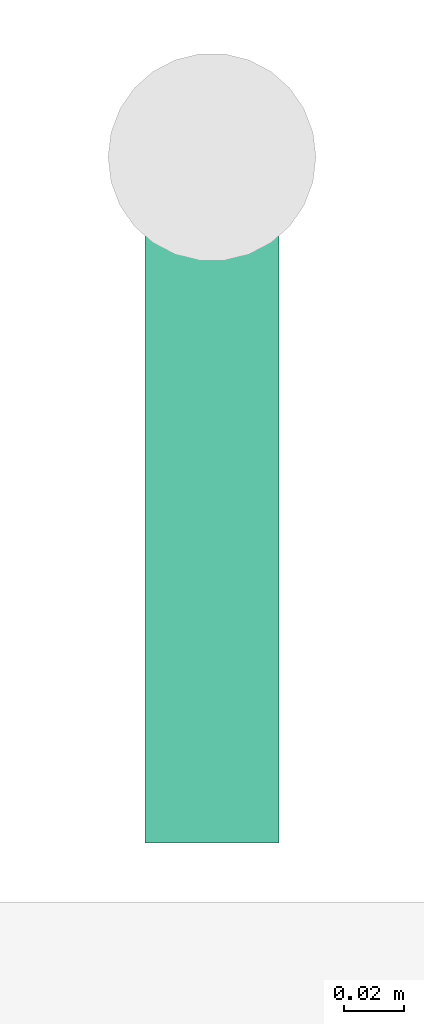
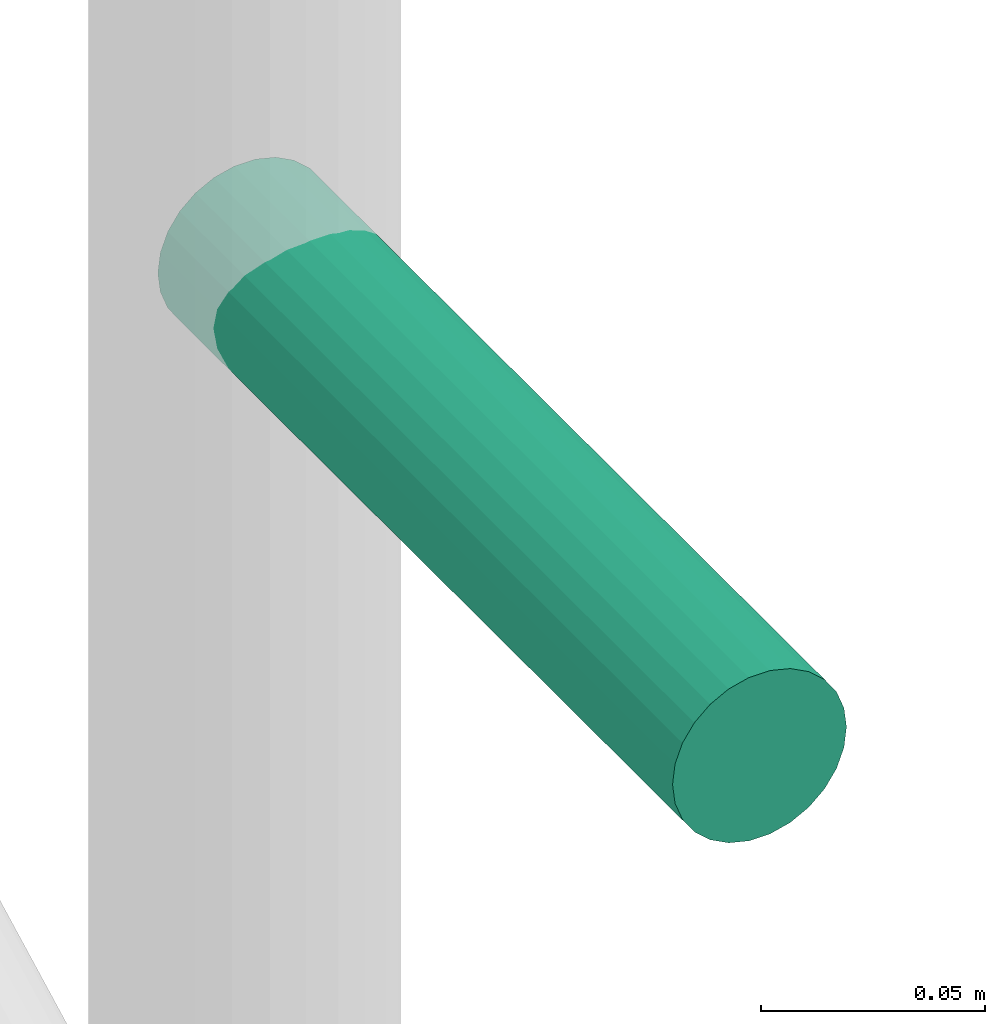
# One storey, part 35 of 36: 1 pipe fitting.
"""IFC4 building model written with IfcOpenShell, lengths in metres."""

import ifcopenshell
import ifcopenshell.guid

model = None  # the IFC model being written
_history = None  # IfcOwnerHistory: only IFC2X3 demands one
_inside = {}  # id of a spatial element -> (the spatial element, [elements in it])
_under = {}  # id of a project, library or spatial element -> (it, [spatial elements below it])
_declared = {}  # id of a project -> (the project, [libraries it declares])
_typed = {}  # id of a type object -> (the type object, [elements of that type])
_made_of = {}  # id of a material, layer set ... -> (it, [elements and type objects made of it])


def new_model(schema):
    """Start an empty IFC model of exactly this schema.

    Asked for "IFC4X3", IfcOpenShell would pick the latest addendum, in which some entities
    have other attributes; the version numbers below select the first issue.
    IFC2X3 requires an IfcOwnerHistory on every rooted entity: one is made here for all.
    """
    global model, _history
    if schema == "IFC4X3":
        model = ifcopenshell.file(schema_version=(4, 3, 0, 0))
    else:
        model = ifcopenshell.file(schema=schema)
    _inside.clear()
    _under.clear()
    _declared.clear()
    _typed.clear()
    _made_of.clear()
    _history = None
    if model.schema == "IFC2X3":
        org = make("IfcOrganization", Name="unknown")
        user = make(
            "IfcPersonAndOrganization",
            ThePerson=make("IfcPerson", FamilyName="unknown"),
            TheOrganization=org,
        )
        app = make(
            "IfcApplication",
            ApplicationDeveloper=org,
            Version="unknown",
            ApplicationFullName="unknown",
            ApplicationIdentifier="unknown",
        )
        _history = make(
            "IfcOwnerHistory",
            OwningUser=user,
            OwningApplication=app,
            ChangeAction="ADDED",
            CreationDate=0,
        )
    return model


def make(cls, **values):
    """One entity of the class cls with the attributes given. An attribute that is None is left unset."""
    return model.create_entity(
        cls, **{name: value for name, value in values.items() if value is not None}
    )


def rooted(cls, **values):
    """An entity with a GlobalId (a new one), such as an element, a storey or a relation."""
    return make(cls, GlobalId=ifcopenshell.guid.new(), OwnerHistory=_history, **values)


def si_unit(unit_type, name, prefix=None):
    """IfcSIUnit, for example si_unit("LENGTHUNIT", "METRE", prefix="MILLI")."""
    return make("IfcSIUnit", UnitType=unit_type, Prefix=prefix, Name=name)


def assignment(units):
    """IfcUnitAssignment: the units of a project."""
    return None if units is None else make("IfcUnitAssignment", Units=units)


def point(xyz):
    """IfcCartesianPoint."""
    return None if xyz is None else make("IfcCartesianPoint", Coordinates=xyz)


def direction(xyz):
    """IfcDirection."""
    return None if xyz is None else make("IfcDirection", DirectionRatios=xyz)


def frame(location, z_axis=None, x_axis=None):
    """IfcAxis2Placement3D, a coordinate frame: its origin and axes. An axis left out is left unset."""
    return make(
        "IfcAxis2Placement3D",
        Location=point(location),
        Axis=direction(z_axis),
        RefDirection=direction(x_axis),
    )


def frame_2d(location, x_axis=None):
    """IfcAxis2Placement2D, a coordinate frame in the plane: its origin and x axis."""
    return make(
        "IfcAxis2Placement2D", Location=point(location), RefDirection=direction(x_axis)
    )


def origin():
    """The frame at (0, 0, 0) with its axes left unset."""
    return frame((0.0, 0.0, 0.0))


def origin_2d():
    """The frame at (0, 0) in the plane with its x axis left unset."""
    return frame_2d((0.0, 0.0))


def place(relative_to, where):
    """IfcLocalPlacement: puts the frame where relative to a parent placement (None: the world)."""
    return make(
        "IfcLocalPlacement", PlacementRelTo=relative_to, RelativePlacement=where
    )


def context(
    kind, dimensions, precision=None, world=None, true_north=None, identifier=None
):
    """IfcGeometricRepresentationContext, for example the 3D "Model" context."""
    return make(
        "IfcGeometricRepresentationContext",
        ContextIdentifier=identifier,
        ContextType=kind,
        CoordinateSpaceDimension=dimensions,
        Precision=precision,
        WorldCoordinateSystem=world,
        TrueNorth=true_north,
    )


def subcontext(parent, identifier, kind, view, scale=None):
    """IfcGeometricRepresentationSubContext, for example "Body" below "Model"."""
    return make(
        "IfcGeometricRepresentationSubContext",
        ContextIdentifier=identifier,
        ContextType=kind,
        ParentContext=parent,
        TargetScale=scale,
        TargetView=view,
    )


def project(units=None, contexts=None):
    """IfcProject with its units and contexts."""
    return rooted(
        "IfcProject",
        Name="project",
        RepresentationContexts=contexts,
        UnitsInContext=assignment(units),
    )


def spatial(cls, under=None, at=None, **own):
    """A site, building, storey or space (cls), placed at a placement, below another one or the project."""
    s = rooted(cls, ObjectPlacement=at, **own)
    if under is not None:
        _under.setdefault(under.id(), (under, []))[1].append(s)
    return s


def profile(cls, at=None, kind="AREA", **sizes):
    """A parametric profile (cls). Its sizes go by their IFC names, for example OverallWidth=200.0."""
    return make(cls, ProfileType=kind, Position=at, **sizes)


def circle(**sizes):
    """IfcCircleProfileDef."""
    return profile("IfcCircleProfileDef", **sizes)


def extrude(swept, where, along, depth):
    """IfcExtrudedAreaSolid: the profile swept, set in the frame where, extruded along a direction by depth."""
    return make(
        "IfcExtrudedAreaSolid",
        SweptArea=swept,
        Position=where,
        ExtrudedDirection=direction(along),
        Depth=depth,
    )


def shape(context_of_items, identifier, shape_type, items):
    """IfcShapeRepresentation: the items that make up one representation, for example the "Body"."""
    return make(
        "IfcShapeRepresentation",
        ContextOfItems=context_of_items,
        RepresentationIdentifier=identifier,
        RepresentationType=shape_type,
        Items=items,
    )


def made_of(thing, what):
    """Note that an element or type object is made of a material, layer set ...; save() writes the relation."""
    if what is not None:
        _made_of.setdefault(what.id(), (what, []))[1].append(thing)
    return thing


def element(
    cls,
    number,
    at=None,
    inside=None,
    cuts=None,
    type_object=None,
    material=None,
    context=None,
    identifier="Body",
    shape_type=None,
    held_by="IfcProductDefinitionShape",
    body=None,
    shapes=None,
    **own,
):
    """One element of the class cls, such as IfcWall. Its Tag is "e" and its number.

    at: its placement. inside: the storey or other place that contains it. cuts: it is an
    opening in that element (IfcRelVoidsElement). A single representation is given by context,
    identifier, shape_type and body (its items); several are given by shapes. held_by: the class
    of the entity that holds the representations. save() writes the other relations.
    """
    e = rooted(cls, Tag="e%d" % number, ObjectPlacement=at, **own)
    if body is not None:
        shapes = [shape(context, identifier, shape_type, body)]
    if shapes is not None:
        e.Representation = make(held_by, Representations=shapes)
    if inside is not None:
        _inside.setdefault(inside.id(), (inside, []))[1].append(e)
    if cuts is not None:
        rooted(
            "IfcRelVoidsElement", RelatingBuildingElement=cuts, RelatedOpeningElement=e
        )
    if type_object is not None:
        _typed.setdefault(type_object.id(), (type_object, []))[1].append(e)
    return made_of(e, material)


def aggregate(whole, parts):
    """IfcRelAggregates: a whole, such as a stair, and the parts it consists of."""
    return rooted("IfcRelAggregates", RelatingObject=whole, RelatedObjects=parts)


def save(model, path):
    """Write the relations noted so far, then the file.

    IfcRelAggregates (storeys below a building ...), IfcRelContainedInSpatialStructure (elements
    in a storey), IfcRelDefinesByType, IfcRelAssociatesMaterial and IfcRelDeclares: one each for
    every whole, place, type object, material and project.
    """
    for whole, parts in _under.values():
        aggregate(whole, parts)
    for where, things in _inside.values():
        rooted(
            "IfcRelContainedInSpatialStructure",
            RelatedElements=things,
            RelatingStructure=where,
        )
    for kind, things in _typed.values():
        rooted("IfcRelDefinesByType", RelatedObjects=things, RelatingType=kind)
    for what, things in _made_of.values():
        rooted("IfcRelAssociatesMaterial", RelatedObjects=things, RelatingMaterial=what)
    for by, libraries in _declared.values():
        rooted("IfcRelDeclares", RelatingContext=by, RelatedDefinitions=libraries)
    model.write(path)


model = new_model("IFC4")

# Units and contexts
model_context = context("Model", 3, precision=1e-05, world=origin(), true_north=direction((0.0, 1.0)))
body_context = subcontext(model_context, "Body", "Model", "MODEL_VIEW")
ifc_project = project(units=[si_unit("LENGTHUNIT", "METRE"), si_unit("AREAUNIT", "SQUARE_METRE"), si_unit("VOLUMEUNIT", "CUBIC_METRE"), si_unit("PLANEANGLEUNIT", "RADIAN"), si_unit("MASSUNIT", "GRAM", prefix="KILO")], contexts=[model_context])

# Site, building, storey
site_placement = place(None, origin())
site = spatial("IfcSite", under=ifc_project, at=site_placement, CompositionType="ELEMENT")
building_placement = place(site_placement, origin())
building = spatial("IfcBuilding", under=site, at=building_placement, Name="Nzadi Deep Aquarium and Research Tower", CompositionType="ELEMENT")
storey_placement = place(building_placement, frame((0.0, 0.0, 14.199951171875)))
storey = spatial("IfcBuildingStorey", under=building, at=storey_placement, Name="L02", CompositionType="ELEMENT", Elevation=14.199951171875)

# Pipe fitting
pipe_fitting_placement = place(storey_placement, frame((2.300048828125, 116.360107421875, 1.10009765625), z_axis=(0.0, -1.0, 0.0), x_axis=(1.0, 0.0, 0.0)))
element("IfcPipeFitting", 1, at=pipe_fitting_placement, inside=storey, Name="Dry riser outlet ST-Z3-W L02", PredefinedType="EXIT", context=body_context, shape_type="SweptSolid", body=[
    extrude(circle(Radius=0.0224609375, at=origin_2d()), origin(), (0.0, 0.0, 1.0), 0.230224609375),
])

save(model, "model.ifc")
